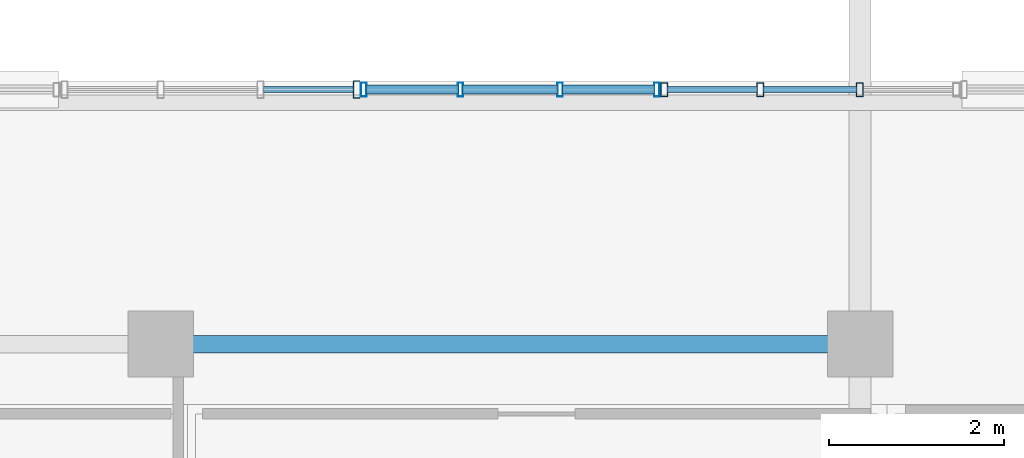
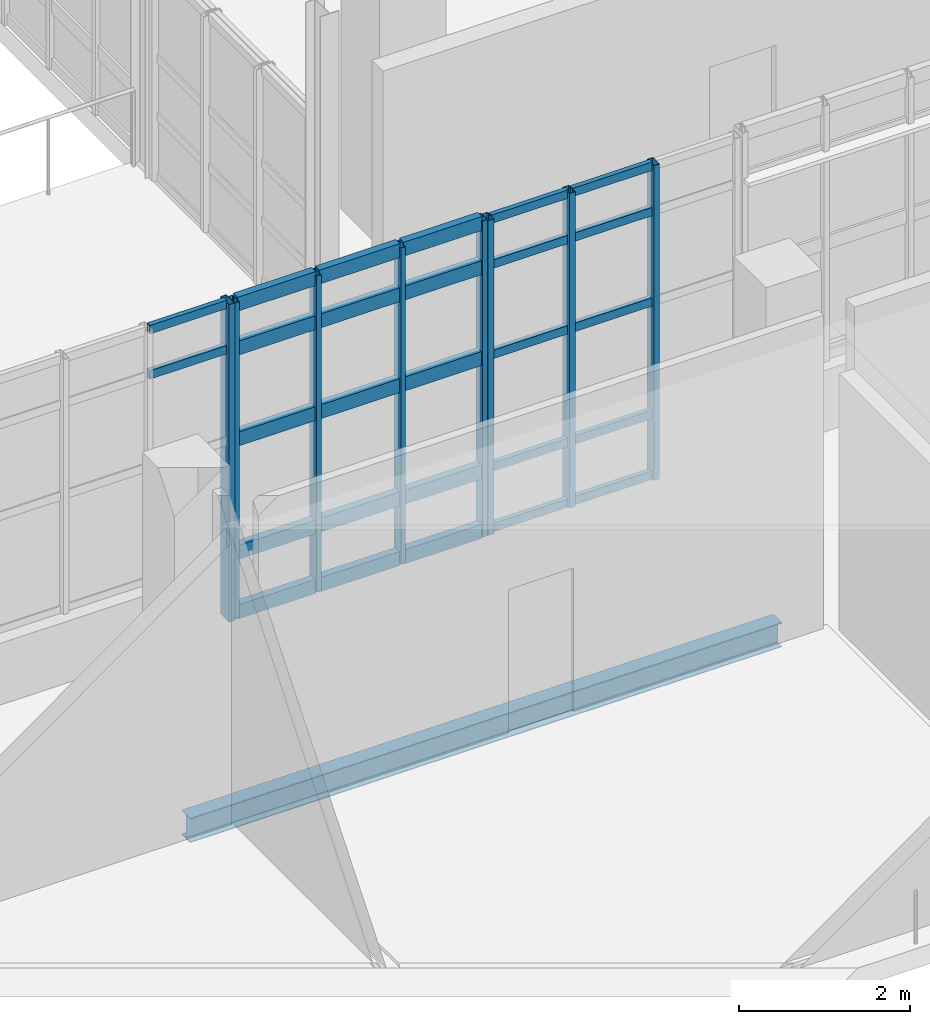
# One storey, part 31 of 127: 35 members, 1 beam, 3 elements without a shape of their own.
"""IFC4 building model written with IfcOpenShell, lengths in metres."""

import ifcopenshell
import ifcopenshell.guid

model = None  # the IFC model being written
_history = None  # IfcOwnerHistory: only IFC2X3 demands one
_inside = {}  # id of a spatial element -> (the spatial element, [elements in it])
_under = {}  # id of a project, library or spatial element -> (it, [spatial elements below it])
_declared = {}  # id of a project -> (the project, [libraries it declares])
_typed = {}  # id of a type object -> (the type object, [elements of that type])
_made_of = {}  # id of a material, layer set ... -> (it, [elements and type objects made of it])


def new_model(schema):
    """Start an empty IFC model of exactly this schema.

    Asked for "IFC4X3", IfcOpenShell would pick the latest addendum, in which some entities
    have other attributes; the version numbers below select the first issue.
    IFC2X3 requires an IfcOwnerHistory on every rooted entity: one is made here for all.
    """
    global model, _history
    if schema == "IFC4X3":
        model = ifcopenshell.file(schema_version=(4, 3, 0, 0))
    else:
        model = ifcopenshell.file(schema=schema)
    _inside.clear()
    _under.clear()
    _declared.clear()
    _typed.clear()
    _made_of.clear()
    _history = None
    if model.schema == "IFC2X3":
        org = make("IfcOrganization", Name="unknown")
        user = make(
            "IfcPersonAndOrganization",
            ThePerson=make("IfcPerson", FamilyName="unknown"),
            TheOrganization=org,
        )
        app = make(
            "IfcApplication",
            ApplicationDeveloper=org,
            Version="unknown",
            ApplicationFullName="unknown",
            ApplicationIdentifier="unknown",
        )
        _history = make(
            "IfcOwnerHistory",
            OwningUser=user,
            OwningApplication=app,
            ChangeAction="ADDED",
            CreationDate=0,
        )
    return model


def make(cls, **values):
    """One entity of the class cls with the attributes given. An attribute that is None is left unset."""
    return model.create_entity(
        cls, **{name: value for name, value in values.items() if value is not None}
    )


def rooted(cls, **values):
    """An entity with a GlobalId (a new one), such as an element, a storey or a relation."""
    return make(cls, GlobalId=ifcopenshell.guid.new(), OwnerHistory=_history, **values)


def si_unit(unit_type, name, prefix=None):
    """IfcSIUnit, for example si_unit("LENGTHUNIT", "METRE", prefix="MILLI")."""
    return make("IfcSIUnit", UnitType=unit_type, Prefix=prefix, Name=name)


def derived_unit(unit_type, elements):
    """IfcDerivedUnit: a product of units, each with its exponent."""
    return make(
        "IfcDerivedUnit",
        Elements=[
            make("IfcDerivedUnitElement", Unit=unit, Exponent=power)
            for unit, power in elements
        ],
        UnitType=unit_type,
    )


def assignment(units):
    """IfcUnitAssignment: the units of a project."""
    return None if units is None else make("IfcUnitAssignment", Units=units)


def point(xyz):
    """IfcCartesianPoint."""
    return None if xyz is None else make("IfcCartesianPoint", Coordinates=xyz)


def direction(xyz):
    """IfcDirection."""
    return None if xyz is None else make("IfcDirection", DirectionRatios=xyz)


def frame(location, z_axis=None, x_axis=None):
    """IfcAxis2Placement3D, a coordinate frame: its origin and axes. An axis left out is left unset."""
    return make(
        "IfcAxis2Placement3D",
        Location=point(location),
        Axis=direction(z_axis),
        RefDirection=direction(x_axis),
    )


def frame_2d(location, x_axis=None):
    """IfcAxis2Placement2D, a coordinate frame in the plane: its origin and x axis."""
    return make(
        "IfcAxis2Placement2D", Location=point(location), RefDirection=direction(x_axis)
    )


def origin():
    """The frame at (0, 0, 0) with its axes left unset."""
    return frame((0.0, 0.0, 0.0))


def origin_2d():
    """The frame at (0, 0) in the plane with its x axis left unset."""
    return frame_2d((0.0, 0.0))


def place(relative_to, where):
    """IfcLocalPlacement: puts the frame where relative to a parent placement (None: the world)."""
    return make(
        "IfcLocalPlacement", PlacementRelTo=relative_to, RelativePlacement=where
    )


def context(
    kind, dimensions, precision=None, world=None, true_north=None, identifier=None
):
    """IfcGeometricRepresentationContext, for example the 3D "Model" context."""
    return make(
        "IfcGeometricRepresentationContext",
        ContextIdentifier=identifier,
        ContextType=kind,
        CoordinateSpaceDimension=dimensions,
        Precision=precision,
        WorldCoordinateSystem=world,
        TrueNorth=true_north,
    )


def subcontext(parent, identifier, kind, view, scale=None):
    """IfcGeometricRepresentationSubContext, for example "Body" below "Model"."""
    return make(
        "IfcGeometricRepresentationSubContext",
        ContextIdentifier=identifier,
        ContextType=kind,
        ParentContext=parent,
        TargetScale=scale,
        TargetView=view,
    )


def project(units=None, contexts=None):
    """IfcProject with its units and contexts."""
    return rooted(
        "IfcProject",
        Name="project",
        RepresentationContexts=contexts,
        UnitsInContext=assignment(units),
    )


def spatial(cls, under=None, at=None, **own):
    """A site, building, storey or space (cls), placed at a placement, below another one or the project."""
    s = rooted(cls, ObjectPlacement=at, **own)
    if under is not None:
        _under.setdefault(under.id(), (under, []))[1].append(s)
    return s


def profile(cls, at=None, kind="AREA", **sizes):
    """A parametric profile (cls). Its sizes go by their IFC names, for example OverallWidth=200.0."""
    return make(cls, ProfileType=kind, Position=at, **sizes)


def hollow_rectangle(**sizes):
    """IfcRectangleHollowProfileDef."""
    return profile("IfcRectangleHollowProfileDef", **sizes)


def i_section(**sizes):
    """IfcIShapeProfileDef."""
    return profile("IfcIShapeProfileDef", **sizes)


def extrude(swept, where, along, depth):
    """IfcExtrudedAreaSolid: the profile swept, set in the frame where, extruded along a direction by depth."""
    return make(
        "IfcExtrudedAreaSolid",
        SweptArea=swept,
        Position=where,
        ExtrudedDirection=direction(along),
        Depth=depth,
    )


def shape(context_of_items, identifier, shape_type, items):
    """IfcShapeRepresentation: the items that make up one representation, for example the "Body"."""
    return make(
        "IfcShapeRepresentation",
        ContextOfItems=context_of_items,
        RepresentationIdentifier=identifier,
        RepresentationType=shape_type,
        Items=items,
    )


def material(Name=None, Category=None):
    """IfcMaterial."""
    return make("IfcMaterial", Name=Name, Category=Category)


def layer(
    of_material, thickness, ventilated=None, Name=None, Category=None, Priority=None
):
    """IfcMaterialLayer: one layer of a wall or slab, of a material (None: an air gap)."""
    return make(
        "IfcMaterialLayer",
        Material=of_material,
        LayerThickness=thickness,
        IsVentilated=ventilated,
        Name=Name,
        Category=Category,
        Priority=Priority,
    )


def layer_set(layers, Name=None):
    """IfcMaterialLayerSet."""
    return make("IfcMaterialLayerSet", MaterialLayers=layers, LayerSetName=Name)


def material_profile(
    of_material, cross_section, Name=None, Category=None, Priority=None
):
    """IfcMaterialProfile: a cross section and its material."""
    return make(
        "IfcMaterialProfile",
        Name=Name,
        Material=of_material,
        Profile=cross_section,
        Priority=Priority,
        Category=Category,
    )


def profile_set(profiles, Name=None, composite=None):
    """IfcMaterialProfileSet."""
    return make(
        "IfcMaterialProfileSet",
        Name=Name,
        MaterialProfiles=profiles,
        CompositeProfile=composite,
    )


def made_of(thing, what):
    """Note that an element or type object is made of a material, layer set ...; save() writes the relation."""
    if what is not None:
        _made_of.setdefault(what.id(), (what, []))[1].append(thing)
    return thing


def type_object(cls, material=None, **own):
    """A type object (cls), such as IfcWallType, which elements share."""
    return made_of(rooted(cls, **own), material)


def element(
    cls,
    number,
    at=None,
    inside=None,
    cuts=None,
    type_object=None,
    material=None,
    context=None,
    identifier="Body",
    shape_type=None,
    held_by="IfcProductDefinitionShape",
    body=None,
    shapes=None,
    **own,
):
    """One element of the class cls, such as IfcWall. Its Tag is "e" and its number.

    at: its placement. inside: the storey or other place that contains it. cuts: it is an
    opening in that element (IfcRelVoidsElement). A single representation is given by context,
    identifier, shape_type and body (its items); several are given by shapes. held_by: the class
    of the entity that holds the representations. save() writes the other relations.
    """
    e = rooted(cls, Tag="e%d" % number, ObjectPlacement=at, **own)
    if body is not None:
        shapes = [shape(context, identifier, shape_type, body)]
    if shapes is not None:
        e.Representation = make(held_by, Representations=shapes)
    if inside is not None:
        _inside.setdefault(inside.id(), (inside, []))[1].append(e)
    if cuts is not None:
        rooted(
            "IfcRelVoidsElement", RelatingBuildingElement=cuts, RelatedOpeningElement=e
        )
    if type_object is not None:
        _typed.setdefault(type_object.id(), (type_object, []))[1].append(e)
    return made_of(e, material)


def aggregate(whole, parts):
    """IfcRelAggregates: a whole, such as a stair, and the parts it consists of."""
    return rooted("IfcRelAggregates", RelatingObject=whole, RelatedObjects=parts)


def save(model, path):
    """Write the relations noted so far, then the file.

    IfcRelAggregates (storeys below a building ...), IfcRelContainedInSpatialStructure (elements
    in a storey), IfcRelDefinesByType, IfcRelAssociatesMaterial and IfcRelDeclares: one each for
    every whole, place, type object, material and project.
    """
    for whole, parts in _under.values():
        aggregate(whole, parts)
    for where, things in _inside.values():
        rooted(
            "IfcRelContainedInSpatialStructure",
            RelatedElements=things,
            RelatingStructure=where,
        )
    for kind, things in _typed.values():
        rooted("IfcRelDefinesByType", RelatedObjects=things, RelatingType=kind)
    for what, things in _made_of.values():
        rooted("IfcRelAssociatesMaterial", RelatedObjects=things, RelatingMaterial=what)
    for by, libraries in _declared.values():
        rooted("IfcRelDeclares", RelatingContext=by, RelatedDefinitions=libraries)
    model.write(path)


model = new_model("IFC4")

# Units and contexts
model_context = context("Model", 3, precision=1e-05, world=origin(), true_north=direction((0.0, 1.0)))
body_context = subcontext(model_context, "Body", "Model", "MODEL_VIEW")
ifc_project = project(units=[si_unit("LENGTHUNIT", "METRE"), si_unit("AREAUNIT", "SQUARE_METRE"), si_unit("VOLUMEUNIT", "CUBIC_METRE"), si_unit("PLANEANGLEUNIT", "RADIAN"), si_unit("MASSUNIT", "GRAM", prefix="KILO"), derived_unit("THERMALTRANSMITTANCEUNIT", [(si_unit("POWERUNIT", "WATT"), 1), (si_unit("LENGTHUNIT", "METRE"), -2), (si_unit("THERMODYNAMICTEMPERATUREUNIT", "KELVIN"), -1)])], contexts=[model_context])

# Site, building, storey
site_placement = place(None, origin())
site = spatial("IfcSite", under=ifc_project, at=site_placement, CompositionType="ELEMENT")
building_placement = place(site_placement, origin())
building = spatial("IfcBuilding", under=site, at=building_placement, Name="Nallur Shell Playhouse", CompositionType="ELEMENT")
storey_placement = place(building_placement, frame((0.0, 0.0, 5.39990234375)))
storey = spatial("IfcBuildingStorey", under=building, at=storey_placement, Name="L02", CompositionType="ELEMENT", Elevation=5.39990234375)

# Beam
ifc_material_1 = material(Name="Steel E350", Category="steel")
ifc_material_profile_1 = material_profile(ifc_material_1, i_section(OverallWidth=0.199951171875, OverallDepth=0.35009765625, WebThickness=0.008056640625, FlangeThickness=0.011474609375, FilletRadius=0.011962890625, at=origin_2d()), Name="ISWB 350")
ifc_profile_set_1 = profile_set([ifc_material_profile_1], Name="Steel E350")
beam_type = type_object("IfcBeamType", Name="BM-ST-ISWB350", PredefinedType="BEAM", material=ifc_profile_set_1)
beam_placement = place(storey_placement, frame((48.0, 41.0, -0.454833984375), z_axis=(1.0, 0.0, 0.0), x_axis=(0.0, 1.0, 0.0)))
element("IfcBeam", 1, at=beam_placement, inside=storey, type_object=beam_type, Name="L02 girder X-E-342", PredefinedType="BEAM", context=body_context, shape_type="SweptSolid", body=[
    extrude(i_section(OverallWidth=0.199951171875, OverallDepth=0.35009765625, WebThickness=0.008056640625, FlangeThickness=0.011474609375, FilletRadius=0.011962890625, at=origin_2d()), origin(), (0.0, 0.0, 1.0), 8.0),
])

# Curtain wall, members
ifc_material_2 = material(Name="Anodised Aluminium Double-Glazed Facade System", Category="aluminium")
ifc_layer_1 = layer(ifc_material_2, 0.179931640625)
ifc_layer_set_1 = layer_set([ifc_layer_1], Name="Anodised Aluminium Double-Glazed Facade System")
curtain_wall_type_1 = type_object("IfcCurtainWallType", Name="CW-UNIT-11", PredefinedType="NOTDEFINED", material=ifc_layer_set_1)
curtain_wall_1_placement = place(storey_placement, origin())
curtain_wall_1 = element("IfcCurtainWall", 2, at=curtain_wall_1_placement, inside=storey, type_object=curtain_wall_type_1, Name="Unitised curtain wall CW-011 (L02)", PredefinedType="NOTDEFINED")
ifc_material_3 = material(Name="Aluminium Alloy 6063-T6 Mullion", Category="aluminium")
ifc_material_profile_2 = material_profile(ifc_material_3, hollow_rectangle(XDim=0.080078125, YDim=0.159912109375, WallThickness=0.006103515625, at=origin_2d()), Name="RHS 160x80x6")
ifc_profile_set_2 = profile_set([ifc_material_profile_2], Name="Aluminium Alloy 6063-T6 Mullion")
member_type_1 = type_object("IfcMemberType", Name="MB-CW-MUL150", PredefinedType="MULLION", material=ifc_profile_set_2)
member_1_placement = place(storey_placement, frame((53.75927734375, 43.909912109375, -0.014892578125), z_axis=(0.0, 0.0, 1.0), x_axis=(1.0, 0.0, 0.0)))
member_1 = element("IfcMember", 3, at=member_1_placement, type_object=member_type_1, Name="CW-11 mullion 1", PredefinedType="MULLION", context=body_context, shape_type="SweptSolid", body=[
    extrude(hollow_rectangle(XDim=0.080078125, YDim=0.159912109375, WallThickness=0.006103515625, at=origin_2d()), origin(), (0.0, 0.0, 1.0), 4.4990234375),
])
member_2_placement = place(storey_placement, frame((54.85888671875, 43.909912109375, -0.014892578125), z_axis=(0.0, 0.0, 1.0), x_axis=(1.0, 0.0, 0.0)))
member_2 = element("IfcMember", 4, at=member_2_placement, type_object=member_type_1, Name="CW-11 mullion 2", PredefinedType="MULLION", context=body_context, shape_type="SweptSolid", body=[
    extrude(hollow_rectangle(XDim=0.080078125, YDim=0.159912109375, WallThickness=0.006103515625, at=origin_2d()), origin(), (0.0, 0.0, 1.0), 4.4990234375),
])
member_3_placement = place(storey_placement, frame((55.998291015625, 43.909912109375, -0.014892578125), z_axis=(0.0, 0.0, 1.0), x_axis=(1.0, 0.0, 0.0)))
member_3 = element("IfcMember", 5, at=member_3_placement, type_object=member_type_1, Name="CW-11 mullion 3", PredefinedType="MULLION", context=body_context, shape_type="SweptSolid", body=[
    extrude(hollow_rectangle(XDim=0.080078125, YDim=0.159912109375, WallThickness=0.006103515625, at=origin_2d()), origin(), (0.0, 0.0, 1.0), 4.4990234375),
])

ifc_layer_2 = layer(ifc_material_2, 0.176025390625)
ifc_layer_set_2 = layer_set([ifc_layer_2], Name="Anodised Aluminium Double-Glazed Facade System")
curtain_wall_type_2 = type_object("IfcCurtainWallType", Name="CW-UNIT-10", PredefinedType="NOTDEFINED", material=ifc_layer_set_2)
curtain_wall_2_placement = place(storey_placement, origin())
curtain_wall_2 = element("IfcCurtainWall", 6, at=curtain_wall_2_placement, inside=storey, type_object=curtain_wall_type_2, Name="Unitised curtain wall CW-010 (L02)", PredefinedType="NOTDEFINED")
ifc_material_profile_3 = material_profile(ifc_material_3, hollow_rectangle(XDim=0.06494140625, YDim=0.159912109375, WallThickness=0.00390625, at=origin_2d()), Name="ALU 65x160x4")
ifc_profile_set_3 = profile_set([ifc_material_profile_3], Name="Aluminium Alloy 6063-T6 Mullion")
member_type_2 = type_object("IfcMemberType", Name="MB-CW-MUL160", PredefinedType="MULLION", material=ifc_profile_set_3)
member_4_placement = place(storey_placement, frame((50.3232421875, 43.909912109375, -0.014892578125), z_axis=(0.0, 0.0, 1.0), x_axis=(1.0, 0.0, 0.0)))
member_4 = element("IfcMember", 7, at=member_4_placement, type_object=member_type_2, Name="CW-10 mullion 1", PredefinedType="MULLION", context=body_context, shape_type="SweptSolid", body=[
    extrude(hollow_rectangle(XDim=0.06494140625, YDim=0.159912109375, WallThickness=0.00390625, at=origin_2d()), origin(), (0.0, 0.0, 1.0), 4.51904296875),
])
member_5_placement = place(storey_placement, frame((51.43017578125, 43.909912109375, -0.014892578125), z_axis=(0.0, 0.0, 1.0), x_axis=(1.0, 0.0, 0.0)))
member_5 = element("IfcMember", 8, at=member_5_placement, type_object=member_type_2, Name="CW-10 mullion 2", PredefinedType="MULLION", context=body_context, shape_type="SweptSolid", body=[
    extrude(hollow_rectangle(XDim=0.06494140625, YDim=0.159912109375, WallThickness=0.00390625, at=origin_2d()), origin(), (0.0, 0.0, 1.0), 4.51904296875),
])
member_6_placement = place(storey_placement, frame((52.56982421875, 43.909912109375, -0.014892578125), z_axis=(0.0, 0.0, 1.0), x_axis=(1.0, 0.0, 0.0)))
member_6 = element("IfcMember", 9, at=member_6_placement, type_object=member_type_2, Name="CW-10 mullion 3", PredefinedType="MULLION", context=body_context, shape_type="SweptSolid", body=[
    extrude(hollow_rectangle(XDim=0.06494140625, YDim=0.159912109375, WallThickness=0.00390625, at=origin_2d()), origin(), (0.0, 0.0, 1.0), 4.51904296875),
])
member_7_placement = place(storey_placement, frame((53.6767578125, 43.909912109375, -0.014892578125), z_axis=(0.0, 0.0, 1.0), x_axis=(1.0, 0.0, 0.0)))
member_7 = element("IfcMember", 10, at=member_7_placement, type_object=member_type_2, Name="CW-10 mullion 4", PredefinedType="MULLION", context=body_context, shape_type="SweptSolid", body=[
    extrude(hollow_rectangle(XDim=0.06494140625, YDim=0.159912109375, WallThickness=0.00390625, at=origin_2d()), origin(), (0.0, 0.0, 1.0), 4.51904296875),
])

ifc_layer_3 = layer(ifc_material_2, 0.172119140625)
ifc_layer_set_3 = layer_set([ifc_layer_3], Name="Anodised Aluminium Double-Glazed Facade System")
curtain_wall_type_3 = type_object("IfcCurtainWallType", Name="CW-UNIT-09", PredefinedType="NOTDEFINED", material=ifc_layer_set_3)
curtain_wall_3_placement = place(storey_placement, origin())
curtain_wall_3 = element("IfcCurtainWall", 11, at=curtain_wall_3_placement, inside=storey, type_object=curtain_wall_type_3, Name="Unitised curtain wall CW-009 (L02)", PredefinedType="NOTDEFINED")
ifc_material_profile_4 = material_profile(ifc_material_3, hollow_rectangle(XDim=0.074951171875, YDim=0.199951171875, WallThickness=0.0048828125, at=origin_2d()), Name="ALU 75x200x5")
ifc_profile_set_4 = profile_set([ifc_material_profile_4], Name="Aluminium Alloy 6063-T6 Mullion")
member_type_3 = type_object("IfcMemberType", Name="MB-CW-MUL180", PredefinedType="MULLION", material=ifc_profile_set_4)
member_8_placement = place(storey_placement, frame((50.2431640625, 43.909912109375, -0.014892578125), z_axis=(0.0, 0.0, 1.0), x_axis=(1.0, 0.0, 0.0)))
member_8 = element("IfcMember", 12, at=member_8_placement, type_object=member_type_3, Name="CW-09 mullion 4", PredefinedType="MULLION", context=body_context, shape_type="SweptSolid", body=[
    extrude(hollow_rectangle(XDim=0.074951171875, YDim=0.199951171875, WallThickness=0.0048828125, at=origin_2d()), origin(), (0.0, 0.0, 1.0), 4.5390625),
])
ifc_material_4 = material(Name="Aluminium Alloy 6063-T6 Transom", Category="aluminium")
ifc_material_profile_5 = material_profile(ifc_material_4, hollow_rectangle(XDim=0.06494140625, YDim=0.1201171875, WallThickness=0.00390625, at=origin_2d()), Name="ALU 65x120x4")
ifc_profile_set_5 = profile_set([ifc_material_profile_5], Name="Aluminium Alloy 6063-T6 Transom")
member_type_4 = type_object("IfcMemberType", Name="MB-CW-TRN120", PredefinedType="USERDEFINED", material=ifc_profile_set_5)
member_9_placement = place(storey_placement, frame((49.170654296875, 43.909912109375, 3.840087890625), z_axis=(1.0, 0.0, 0.0), x_axis=(0.0, 1.0, 0.0)))
member_9 = element("IfcMember", 13, at=member_9_placement, type_object=member_type_4, Name="CW-09 transom 3.4", ObjectType="TRANSOM", PredefinedType="USERDEFINED", context=body_context, shape_type="SweptSolid", body=[
    extrude(hollow_rectangle(XDim=0.06494140625, YDim=0.1201171875, WallThickness=0.00390625, at=origin_2d()), origin(), (0.0, 0.0, 1.0), 1.04296875),
])
member_10_placement = place(storey_placement, frame((49.170654296875, 43.909912109375, 4.487548828125), z_axis=(1.0, 0.0, 0.0), x_axis=(0.0, 1.0, 0.0)))
member_10 = element("IfcMember", 14, at=member_10_placement, type_object=member_type_4, Name="CW-09 transom 3.5", ObjectType="TRANSOM", PredefinedType="USERDEFINED", context=body_context, shape_type="SweptSolid", body=[
    extrude(hollow_rectangle(XDim=0.06494140625, YDim=0.1201171875, WallThickness=0.00390625, at=origin_2d()), origin(), (0.0, 0.0, 1.0), 1.04296875),
])
aggregate(curtain_wall_3, [member_8, member_9, member_10])

# Member
member_11_placement = place(storey_placement, frame((53.791259765625, 43.909912109375, 0.03271484375), z_axis=(1.0, 0.0, 0.0), x_axis=(0.0, 1.0, 0.0)))
member_11 = element("IfcMember", 15, at=member_11_placement, type_object=member_type_4, Name="CW-11 transom 1.1", ObjectType="TRANSOM", PredefinedType="USERDEFINED", context=body_context, shape_type="SweptSolid", body=[
    extrude(hollow_rectangle(XDim=0.06494140625, YDim=0.1201171875, WallThickness=0.00390625, at=origin_2d()), origin(), (0.0, 0.0, 1.0), 1.03564453125),
])

member_12_placement = place(storey_placement, frame((53.791259765625, 43.909912109375, 0.900146484375), z_axis=(1.0, 0.0, 0.0), x_axis=(0.0, 1.0, 0.0)))
member_12 = element("IfcMember", 16, at=member_12_placement, type_object=member_type_4, Name="CW-11 transom 1.2", ObjectType="TRANSOM", PredefinedType="USERDEFINED", context=body_context, shape_type="SweptSolid", body=[
    extrude(hollow_rectangle(XDim=0.06494140625, YDim=0.1201171875, WallThickness=0.00390625, at=origin_2d()), origin(), (0.0, 0.0, 1.0), 1.03564453125),
])

member_13_placement = place(storey_placement, frame((53.791259765625, 43.909912109375, 2.509033203125), z_axis=(1.0, 0.0, 0.0), x_axis=(0.0, 1.0, 0.0)))
member_13 = element("IfcMember", 17, at=member_13_placement, type_object=member_type_4, Name="CW-11 transom 1.3", ObjectType="TRANSOM", PredefinedType="USERDEFINED", context=body_context, shape_type="SweptSolid", body=[
    extrude(hollow_rectangle(XDim=0.06494140625, YDim=0.1201171875, WallThickness=0.00390625, at=origin_2d()), origin(), (0.0, 0.0, 1.0), 1.03564453125),
])

member_14_placement = place(storey_placement, frame((53.791259765625, 43.909912109375, 3.800048828125), z_axis=(1.0, 0.0, 0.0), x_axis=(0.0, 1.0, 0.0)))
member_14 = element("IfcMember", 18, at=member_14_placement, type_object=member_type_4, Name="CW-11 transom 1.4", ObjectType="TRANSOM", PredefinedType="USERDEFINED", context=body_context, shape_type="SweptSolid", body=[
    extrude(hollow_rectangle(XDim=0.06494140625, YDim=0.1201171875, WallThickness=0.00390625, at=origin_2d()), origin(), (0.0, 0.0, 1.0), 1.03564453125),
])

member_15_placement = place(storey_placement, frame((53.791259765625, 43.909912109375, 4.447509765625), z_axis=(1.0, 0.0, 0.0), x_axis=(0.0, 1.0, 0.0)))
member_15 = element("IfcMember", 19, at=member_15_placement, type_object=member_type_4, Name="CW-11 transom 1.5", ObjectType="TRANSOM", PredefinedType="USERDEFINED", context=body_context, shape_type="SweptSolid", body=[
    extrude(hollow_rectangle(XDim=0.06494140625, YDim=0.1201171875, WallThickness=0.00390625, at=origin_2d()), origin(), (0.0, 0.0, 1.0), 1.03564453125),
])

member_16_placement = place(storey_placement, frame((54.890869140625, 43.909912109375, 0.03271484375), z_axis=(1.0, 0.0, 0.0), x_axis=(0.0, 1.0, 0.0)))
member_16 = element("IfcMember", 20, at=member_16_placement, type_object=member_type_4, Name="CW-11 transom 2.1", ObjectType="TRANSOM", PredefinedType="USERDEFINED", context=body_context, shape_type="SweptSolid", body=[
    extrude(hollow_rectangle(XDim=0.06494140625, YDim=0.1201171875, WallThickness=0.00390625, at=origin_2d()), origin(), (0.0, 0.0, 1.0), 1.075439453125),
])

member_17_placement = place(storey_placement, frame((54.890869140625, 43.909912109375, 0.900146484375), z_axis=(1.0, 0.0, 0.0), x_axis=(0.0, 1.0, 0.0)))
member_17 = element("IfcMember", 21, at=member_17_placement, type_object=member_type_4, Name="CW-11 transom 2.2", ObjectType="TRANSOM", PredefinedType="USERDEFINED", context=body_context, shape_type="SweptSolid", body=[
    extrude(hollow_rectangle(XDim=0.06494140625, YDim=0.1201171875, WallThickness=0.00390625, at=origin_2d()), origin(), (0.0, 0.0, 1.0), 1.075439453125),
])

member_18_placement = place(storey_placement, frame((54.890869140625, 43.909912109375, 2.509033203125), z_axis=(1.0, 0.0, 0.0), x_axis=(0.0, 1.0, 0.0)))
member_18 = element("IfcMember", 22, at=member_18_placement, type_object=member_type_4, Name="CW-11 transom 2.3", ObjectType="TRANSOM", PredefinedType="USERDEFINED", context=body_context, shape_type="SweptSolid", body=[
    extrude(hollow_rectangle(XDim=0.06494140625, YDim=0.1201171875, WallThickness=0.00390625, at=origin_2d()), origin(), (0.0, 0.0, 1.0), 1.075439453125),
])

member_19_placement = place(storey_placement, frame((54.890869140625, 43.909912109375, 3.800048828125), z_axis=(1.0, 0.0, 0.0), x_axis=(0.0, 1.0, 0.0)))
member_19 = element("IfcMember", 23, at=member_19_placement, type_object=member_type_4, Name="CW-11 transom 2.4", ObjectType="TRANSOM", PredefinedType="USERDEFINED", context=body_context, shape_type="SweptSolid", body=[
    extrude(hollow_rectangle(XDim=0.06494140625, YDim=0.1201171875, WallThickness=0.00390625, at=origin_2d()), origin(), (0.0, 0.0, 1.0), 1.075439453125),
])

member_20_placement = place(storey_placement, frame((54.890869140625, 43.909912109375, 4.447509765625), z_axis=(1.0, 0.0, 0.0), x_axis=(0.0, 1.0, 0.0)))
member_20 = element("IfcMember", 24, at=member_20_placement, type_object=member_type_4, Name="CW-11 transom 2.5", ObjectType="TRANSOM", PredefinedType="USERDEFINED", context=body_context, shape_type="SweptSolid", body=[
    extrude(hollow_rectangle(XDim=0.06494140625, YDim=0.1201171875, WallThickness=0.00390625, at=origin_2d()), origin(), (0.0, 0.0, 1.0), 1.075439453125),
])

aggregate(curtain_wall_1, [member_1, member_2, member_3, member_11, member_12, member_13, member_14, member_15, member_16, member_17, member_18, member_19, member_20])

ifc_material_profile_6 = material_profile(ifc_material_4, hollow_rectangle(XDim=0.10009765625, YDim=0.199951171875, WallThickness=0.008056640625, at=origin_2d()), Name="RHS 200x100x8")
ifc_profile_set_6 = profile_set([ifc_material_profile_6], Name="Aluminium Alloy 6063-T6 Transom")
member_type_5 = type_object("IfcMemberType", Name="MB-CW-TRN140", PredefinedType="USERDEFINED", material=ifc_profile_set_6)
member_21_placement = place(storey_placement, frame((50.34765625, 43.909912109375, 0.050048828125), z_axis=(1.0, 0.0, 0.0), x_axis=(0.0, 1.0, 0.0)))
member_21 = element("IfcMember", 25, at=member_21_placement, type_object=member_type_5, Name="CW-10 transom 1.1", ObjectType="TRANSOM", PredefinedType="USERDEFINED", context=body_context, shape_type="SweptSolid", body=[
    extrude(hollow_rectangle(XDim=0.10009765625, YDim=0.199951171875, WallThickness=0.008056640625, at=origin_2d()), origin(), (0.0, 0.0, 1.0), 1.05810546875),
])

member_22_placement = place(storey_placement, frame((50.34765625, 43.909912109375, 0.900146484375), z_axis=(1.0, 0.0, 0.0), x_axis=(0.0, 1.0, 0.0)))
member_22 = element("IfcMember", 26, at=member_22_placement, type_object=member_type_5, Name="CW-10 transom 1.2", ObjectType="TRANSOM", PredefinedType="USERDEFINED", context=body_context, shape_type="SweptSolid", body=[
    extrude(hollow_rectangle(XDim=0.10009765625, YDim=0.199951171875, WallThickness=0.008056640625, at=origin_2d()), origin(), (0.0, 0.0, 1.0), 1.05810546875),
])

member_23_placement = place(storey_placement, frame((50.34765625, 43.909912109375, 2.52001953125), z_axis=(1.0, 0.0, 0.0), x_axis=(0.0, 1.0, 0.0)))
member_23 = element("IfcMember", 27, at=member_23_placement, type_object=member_type_5, Name="CW-10 transom 1.3", ObjectType="TRANSOM", PredefinedType="USERDEFINED", context=body_context, shape_type="SweptSolid", body=[
    extrude(hollow_rectangle(XDim=0.10009765625, YDim=0.199951171875, WallThickness=0.008056640625, at=origin_2d()), origin(), (0.0, 0.0, 1.0), 1.05810546875),
])

member_24_placement = place(storey_placement, frame((50.34765625, 43.909912109375, 3.820068359375), z_axis=(1.0, 0.0, 0.0), x_axis=(0.0, 1.0, 0.0)))
member_24 = element("IfcMember", 28, at=member_24_placement, type_object=member_type_5, Name="CW-10 transom 1.4", ObjectType="TRANSOM", PredefinedType="USERDEFINED", context=body_context, shape_type="SweptSolid", body=[
    extrude(hollow_rectangle(XDim=0.10009765625, YDim=0.199951171875, WallThickness=0.008056640625, at=origin_2d()), origin(), (0.0, 0.0, 1.0), 1.05810546875),
])

member_25_placement = place(storey_placement, frame((50.34765625, 43.909912109375, 4.4501953125), z_axis=(1.0, 0.0, 0.0), x_axis=(0.0, 1.0, 0.0)))
member_25 = element("IfcMember", 29, at=member_25_placement, type_object=member_type_5, Name="CW-10 transom 1.5", ObjectType="TRANSOM", PredefinedType="USERDEFINED", context=body_context, shape_type="SweptSolid", body=[
    extrude(hollow_rectangle(XDim=0.10009765625, YDim=0.199951171875, WallThickness=0.008056640625, at=origin_2d()), origin(), (0.0, 0.0, 1.0), 1.05810546875),
])

member_26_placement = place(storey_placement, frame((51.454833984375, 43.909912109375, 0.050048828125), z_axis=(1.0, 0.0, 0.0), x_axis=(0.0, 1.0, 0.0)))
member_26 = element("IfcMember", 30, at=member_26_placement, type_object=member_type_5, Name="CW-10 transom 2.1", ObjectType="TRANSOM", PredefinedType="USERDEFINED", context=body_context, shape_type="SweptSolid", body=[
    extrude(hollow_rectangle(XDim=0.10009765625, YDim=0.199951171875, WallThickness=0.008056640625, at=origin_2d()), origin(), (0.0, 0.0, 1.0), 1.09033203125),
])

member_27_placement = place(storey_placement, frame((51.454833984375, 43.909912109375, 0.900146484375), z_axis=(1.0, 0.0, 0.0), x_axis=(0.0, 1.0, 0.0)))
member_27 = element("IfcMember", 31, at=member_27_placement, type_object=member_type_5, Name="CW-10 transom 2.2", ObjectType="TRANSOM", PredefinedType="USERDEFINED", context=body_context, shape_type="SweptSolid", body=[
    extrude(hollow_rectangle(XDim=0.10009765625, YDim=0.199951171875, WallThickness=0.008056640625, at=origin_2d()), origin(), (0.0, 0.0, 1.0), 1.09033203125),
])

member_28_placement = place(storey_placement, frame((51.454833984375, 43.909912109375, 2.52001953125), z_axis=(1.0, 0.0, 0.0), x_axis=(0.0, 1.0, 0.0)))
member_28 = element("IfcMember", 32, at=member_28_placement, type_object=member_type_5, Name="CW-10 transom 2.3", ObjectType="TRANSOM", PredefinedType="USERDEFINED", context=body_context, shape_type="SweptSolid", body=[
    extrude(hollow_rectangle(XDim=0.10009765625, YDim=0.199951171875, WallThickness=0.008056640625, at=origin_2d()), origin(), (0.0, 0.0, 1.0), 1.09033203125),
])

member_29_placement = place(storey_placement, frame((51.454833984375, 43.909912109375, 3.820068359375), z_axis=(1.0, 0.0, 0.0), x_axis=(0.0, 1.0, 0.0)))
member_29 = element("IfcMember", 33, at=member_29_placement, type_object=member_type_5, Name="CW-10 transom 2.4", ObjectType="TRANSOM", PredefinedType="USERDEFINED", context=body_context, shape_type="SweptSolid", body=[
    extrude(hollow_rectangle(XDim=0.10009765625, YDim=0.199951171875, WallThickness=0.008056640625, at=origin_2d()), origin(), (0.0, 0.0, 1.0), 1.09033203125),
])

member_30_placement = place(storey_placement, frame((51.454833984375, 43.909912109375, 4.4501953125), z_axis=(1.0, 0.0, 0.0), x_axis=(0.0, 1.0, 0.0)))
member_30 = element("IfcMember", 34, at=member_30_placement, type_object=member_type_5, Name="CW-10 transom 2.5", ObjectType="TRANSOM", PredefinedType="USERDEFINED", context=body_context, shape_type="SweptSolid", body=[
    extrude(hollow_rectangle(XDim=0.10009765625, YDim=0.199951171875, WallThickness=0.008056640625, at=origin_2d()), origin(), (0.0, 0.0, 1.0), 1.09033203125),
])

member_31_placement = place(storey_placement, frame((52.59423828125, 43.909912109375, 0.050048828125), z_axis=(1.0, 0.0, 0.0), x_axis=(0.0, 1.0, 0.0)))
member_31 = element("IfcMember", 35, at=member_31_placement, type_object=member_type_5, Name="CW-10 transom 3.1", ObjectType="TRANSOM", PredefinedType="USERDEFINED", context=body_context, shape_type="SweptSolid", body=[
    extrude(hollow_rectangle(XDim=0.10009765625, YDim=0.199951171875, WallThickness=0.008056640625, at=origin_2d()), origin(), (0.0, 0.0, 1.0), 1.05810546875),
])

member_32_placement = place(storey_placement, frame((52.59423828125, 43.909912109375, 0.900146484375), z_axis=(1.0, 0.0, 0.0), x_axis=(0.0, 1.0, 0.0)))
member_32 = element("IfcMember", 36, at=member_32_placement, type_object=member_type_5, Name="CW-10 transom 3.2", ObjectType="TRANSOM", PredefinedType="USERDEFINED", context=body_context, shape_type="SweptSolid", body=[
    extrude(hollow_rectangle(XDim=0.10009765625, YDim=0.199951171875, WallThickness=0.008056640625, at=origin_2d()), origin(), (0.0, 0.0, 1.0), 1.05810546875),
])

member_33_placement = place(storey_placement, frame((52.59423828125, 43.909912109375, 2.52001953125), z_axis=(1.0, 0.0, 0.0), x_axis=(0.0, 1.0, 0.0)))
member_33 = element("IfcMember", 37, at=member_33_placement, type_object=member_type_5, Name="CW-10 transom 3.3", ObjectType="TRANSOM", PredefinedType="USERDEFINED", context=body_context, shape_type="SweptSolid", body=[
    extrude(hollow_rectangle(XDim=0.10009765625, YDim=0.199951171875, WallThickness=0.008056640625, at=origin_2d()), origin(), (0.0, 0.0, 1.0), 1.05810546875),
])

member_34_placement = place(storey_placement, frame((52.59423828125, 43.909912109375, 3.820068359375), z_axis=(1.0, 0.0, 0.0), x_axis=(0.0, 1.0, 0.0)))
member_34 = element("IfcMember", 38, at=member_34_placement, type_object=member_type_5, Name="CW-10 transom 3.4", ObjectType="TRANSOM", PredefinedType="USERDEFINED", context=body_context, shape_type="SweptSolid", body=[
    extrude(hollow_rectangle(XDim=0.10009765625, YDim=0.199951171875, WallThickness=0.008056640625, at=origin_2d()), origin(), (0.0, 0.0, 1.0), 1.05810546875),
])

member_35_placement = place(storey_placement, frame((52.59423828125, 43.909912109375, 4.4501953125), z_axis=(1.0, 0.0, 0.0), x_axis=(0.0, 1.0, 0.0)))
member_35 = element("IfcMember", 39, at=member_35_placement, type_object=member_type_5, Name="CW-10 transom 3.5", ObjectType="TRANSOM", PredefinedType="USERDEFINED", context=body_context, shape_type="SweptSolid", body=[
    extrude(hollow_rectangle(XDim=0.10009765625, YDim=0.199951171875, WallThickness=0.008056640625, at=origin_2d()), origin(), (0.0, 0.0, 1.0), 1.05810546875),
])

aggregate(curtain_wall_2, [member_4, member_5, member_6, member_7, member_21, member_22, member_23, member_24, member_25, member_26, member_27, member_28, member_29, member_30, member_31, member_32, member_33, member_34, member_35])

save(model, "model.ifc")
